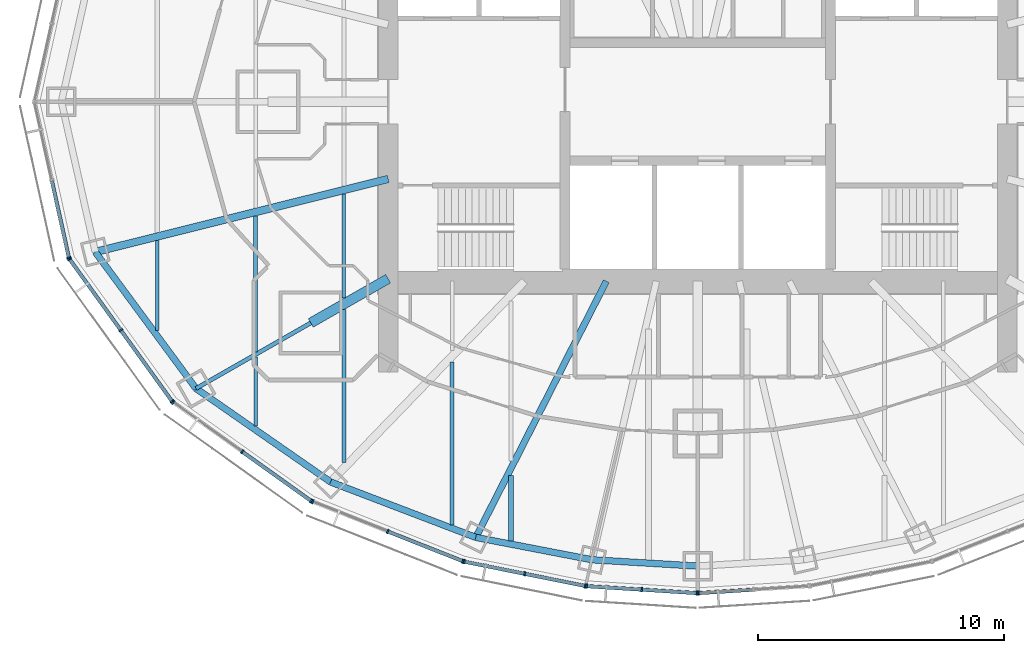
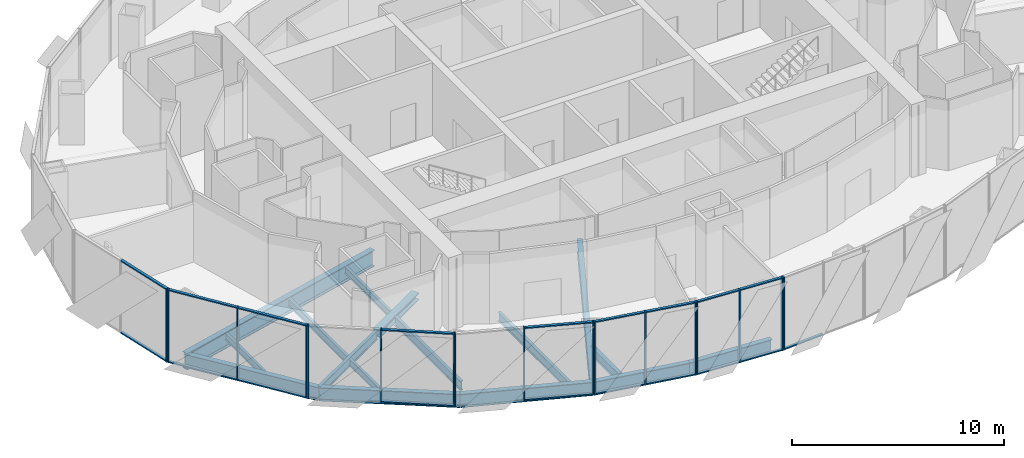
# One storey, part 2 of 18: 36 members, 16 beams, 7 elements without a shape of their own.
"""IFC4 building model written with IfcOpenShell, lengths in metres."""

from ifc_helpers import new_model, si_unit, direction, frame, origin, origin_2d, place, context, subcontext, project, spatial, rectangle, i_section, extrude, material, material_profile, profile_set, type_object, element, aggregate, save


model = new_model("IFC4")

# Units and contexts
model_context = context("Model", 3, precision=1e-05, world=origin(), true_north=direction((0.0, 1.0)))
body_context = subcontext(model_context, "Body", "Model", "MODEL_VIEW")
ifc_project = project(units=[si_unit("LENGTHUNIT", "METRE"), si_unit("AREAUNIT", "SQUARE_METRE"), si_unit("VOLUMEUNIT", "CUBIC_METRE"), si_unit("PLANEANGLEUNIT", "RADIAN"), si_unit("MASSUNIT", "GRAM", prefix="KILO")], contexts=[model_context])

# Site, building, storey
site_placement = place(None, origin())
site = spatial("IfcSite", under=ifc_project, at=site_placement, CompositionType="ELEMENT")
building_placement = place(site_placement, origin())
building = spatial("IfcBuilding", under=site, at=building_placement, Name="Lantaw Convention Tower", CompositionType="ELEMENT")
storey_placement = place(building_placement, frame((0.0, 0.0, 262.0)))
storey = spatial("IfcBuildingStorey", under=building, at=storey_placement, Name="L61", CompositionType="ELEMENT", Elevation=262.0)

# Beams
ifc_material_1 = material(Name="Steel ASTM A992", Category="steel")
ifc_material_profile_1 = material_profile(ifc_material_1, i_section(OverallWidth=0.2666015625, OverallDepth=0.76953125, WebThickness=0.015625, FlangeThickness=0.025390625, FilletRadius=0.0126953125, at=origin_2d()), Name="W30X132")
ifc_profile_set_1 = profile_set([ifc_material_profile_1], Name="Steel ASTM A992")
beam_type_1 = type_object("IfcBeamType", Name="Beam E W30X132", PredefinedType="SPANDREL", material=ifc_profile_set_1)
beam_1_placement = place(storey_placement, frame((-24.52197265625, -6.114013671875, -0.534912109375), z_axis=(0.593639188853, -0.804731329984, 0.0), x_axis=(0.804731329984, 0.593639188853, 0.0)))
element("IfcBeam", 1, at=beam_1_placement, inside=storey, type_object=beam_type_1, Name="Edge beam 14", PredefinedType="SPANDREL", context=body_context, shape_type="SweptSolid", body=[
    extrude(i_section(OverallWidth=0.2666015625, OverallDepth=0.76953125, WebThickness=0.015625, FlangeThickness=0.025390625, FilletRadius=0.0126953125, at=origin_2d()), origin(), (0.0, 0.0, 1.0), 6.904541015625),
])
beam_2_placement = place(storey_placement, frame((-20.423095703125, -11.67041015625, -0.534912109375), z_axis=(0.82135329406, -0.570419815869, 0.0), x_axis=(0.570419815869, 0.82135329406, 0.0)))
element("IfcBeam", 2, at=beam_2_placement, inside=storey, type_object=beam_type_1, Name="Edge beam 15", PredefinedType="SPANDREL", context=body_context, shape_type="SweptSolid", body=[
    extrude(i_section(OverallWidth=0.2666015625, OverallDepth=0.76953125, WebThickness=0.015625, FlangeThickness=0.025390625, FilletRadius=0.0126953125, at=origin_2d()), origin(), (0.0, 0.0, 1.0), 6.67041015625),
])
beam_3_placement = place(storey_placement, frame((-14.9443359375, -15.475341796875, -0.534912109375), z_axis=(0.934234988, -0.356658081637, 0.0), x_axis=(0.356658081637, 0.934234988, 0.0)))
element("IfcBeam", 3, at=beam_3_placement, inside=storey, type_object=beam_type_1, Name="Edge beam 16", PredefinedType="SPANDREL", context=body_context, shape_type="SweptSolid", body=[
    extrude(i_section(OverallWidth=0.2666015625, OverallDepth=0.76953125, WebThickness=0.015625, FlangeThickness=0.025390625, FilletRadius=0.0126953125, at=origin_2d()), origin(), (0.0, 0.0, 1.0), 6.32568359375),
])
beam_4_placement = place(storey_placement, frame((-9.03466796875, -17.7314453125, -0.534912109375), z_axis=(0.981972091702, -0.189025953556, 0.0), x_axis=(0.189025953556, 0.981972091702, 0.0)))
element("IfcBeam", 4, at=beam_4_placement, inside=storey, type_object=beam_type_1, Name="Edge beam 17", PredefinedType="SPANDREL", context=body_context, shape_type="SweptSolid", body=[
    extrude(i_section(OverallWidth=0.2666015625, OverallDepth=0.76953125, WebThickness=0.015625, FlangeThickness=0.025390625, FilletRadius=0.0126953125, at=origin_2d()), origin(), (0.0, 0.0, 1.0), 4.817626953125),
])
beam_5_placement = place(storey_placement, frame((-4.303955078125, -18.64208984375, -0.534912109375), z_axis=(0.998210730897, -0.059794119452, 0.0), x_axis=(0.059794119452, 0.998210730897, 0.0)))
element("IfcBeam", 5, at=beam_5_placement, inside=storey, type_object=beam_type_1, Name="Edge beam 18", PredefinedType="SPANDREL", context=body_context, shape_type="SweptSolid", body=[
    extrude(i_section(OverallWidth=0.2666015625, OverallDepth=0.76953125, WebThickness=0.015625, FlangeThickness=0.025390625, FilletRadius=0.0126953125, at=origin_2d()), origin(), (0.0, 0.0, 1.0), 4.311767578125),
])
ifc_material_profile_2 = material_profile(ifc_material_1, i_section(OverallWidth=0.1650390625, OverallDepth=0.52587890625, WebThickness=0.0087890625, FlangeThickness=0.011474609375, FilletRadius=0.0126953125, at=origin_2d()), Name="W21X44")
ifc_profile_set_2 = profile_set([ifc_material_profile_2], Name="Steel ASTM A992")
beam_type_2 = type_object("IfcBeamType", Name="Beam G W21X44", PredefinedType="BEAM", material=ifc_profile_set_2)
beam_6_placement = place(storey_placement, frame((-15.75, -9.0, -0.412841796875), z_axis=(-0.868237559289, -0.496148708192, 0.0), x_axis=(0.496148708192, -0.868237559289, 0.0)))
element("IfcBeam", 6, at=beam_6_placement, inside=storey, type_object=beam_type_2, Name="Floor girder on ray 15", PredefinedType="BEAM", context=body_context, shape_type="SweptSolid", body=[
    extrude(i_section(OverallWidth=0.1650390625, OverallDepth=0.52587890625, WebThickness=0.0087890625, FlangeThickness=0.011474609375, FilletRadius=0.0126953125, at=origin_2d()), origin(), (0.0, 0.0, 1.0), 5.38232421875),
])
ifc_material_profile_3 = material_profile(ifc_material_1, i_section(OverallWidth=0.2666015625, OverallDepth=0.7568359375, WebThickness=0.013916015625, FlangeThickness=0.019287109375, FilletRadius=0.0126953125, at=origin_2d()), Name="W30X108")
ifc_profile_set_3 = profile_set([ifc_material_profile_3], Name="Steel ASTM A992")
beam_type_3 = type_object("IfcBeamType", Name="Beam G W30X108", PredefinedType="BEAM", material=ifc_profile_set_3)
beam_7_placement = place(storey_placement, frame((-3.719482421875, -7.300048828125, -0.528564453125), z_axis=(-0.4539988787, -0.891002254845, 0.0), x_axis=(0.891002254845, -0.4539988787, 0.0)))
element("IfcBeam", 7, at=beam_7_placement, inside=storey, type_object=beam_type_3, Name="Floor girder on ray 17", PredefinedType="BEAM", context=body_context, shape_type="SweptSolid", body=[
    extrude(i_section(OverallWidth=0.2666015625, OverallDepth=0.7568359375, WebThickness=0.013916015625, FlangeThickness=0.019287109375, FilletRadius=0.0126953125, at=origin_2d()), origin(), (0.0, 0.0, 1.0), 11.70751953125),
])
ifc_material_profile_4 = material_profile(ifc_material_1, i_section(OverallWidth=0.307373046875, OverallDepth=0.9423828125, WebThickness=0.022216796875, FlangeThickness=0.039794921875, FilletRadius=0.0126953125, at=origin_2d()), Name="W36X232")
ifc_profile_set_4 = profile_set([ifc_material_profile_4], Name="Steel ASTM A992")
beam_type_4 = type_object("IfcBeamType", Name="Beam G W36X232", PredefinedType="BEAM", material=ifc_profile_set_4)
beam_8_placement = place(storey_placement, frame((-12.60009765625, -3.1416015625, -0.62109375), z_axis=(-0.970296589314, -0.241918434119, 0.0), x_axis=(0.241918434119, -0.970296589314, 0.0)))
element("IfcBeam", 8, at=beam_8_placement, inside=storey, type_object=beam_type_4, Name="Floor girder on ray 14", PredefinedType="BEAM", context=body_context, shape_type="SweptSolid", body=[
    extrude(i_section(OverallWidth=0.307373046875, OverallDepth=0.9423828125, WebThickness=0.022216796875, FlangeThickness=0.039794921875, FilletRadius=0.0126953125, at=origin_2d()), origin(), (0.0, 0.0, 1.0), 12.286865234375),
])
ifc_material_profile_5 = material_profile(ifc_material_1, i_section(OverallWidth=0.40380859375, OverallDepth=0.406494140625, WebThickness=0.027099609375, FlangeThickness=0.043701171875, FilletRadius=0.01513671875, at=origin_2d()), Name="W14X233")
ifc_profile_set_5 = profile_set([ifc_material_profile_5], Name="Steel ASTM A992")
beam_type_5 = type_object("IfcBeamType", Name="Beam GM W14X233", PredefinedType="BEAM", material=ifc_profile_set_5)
beam_9_placement = place(storey_placement, frame((-12.60009765625, -7.199951171875, -0.353271484375), z_axis=(-0.868230718294, -0.496160679428, 0.0), x_axis=(0.496160679428, -0.868230718294, 0.0)))
element("IfcBeam", 9, at=beam_9_placement, inside=storey, type_object=beam_type_5, Name="Core link beam on ray 15", PredefinedType="BEAM", context=body_context, shape_type="SweptSolid", body=[
    extrude(i_section(OverallWidth=0.40380859375, OverallDepth=0.406494140625, WebThickness=0.027099609375, FlangeThickness=0.043701171875, FilletRadius=0.01513671875, at=origin_2d()), origin(), (0.0, 0.0, 1.0), 3.6279296875),
])
ifc_material_profile_6 = material_profile(ifc_material_1, i_section(OverallWidth=0.140380859375, OverallDepth=0.40380859375, WebThickness=0.007080078125, FlangeThickness=0.01123046875, FilletRadius=0.01025390625, at=origin_2d()), Name="W16X31")
ifc_profile_set_6 = profile_set([ifc_material_profile_6], Name="Steel ASTM A992")
beam_type_6 = type_object("IfcBeamType", Name="Beam J W16X31", PredefinedType="JOIST", material=ifc_profile_set_6)
beam_10_placement = place(storey_placement, frame((-22.0, -9.30810546875, -0.35205078125), z_axis=(0.0, 1.0, 0.0), x_axis=(-1.0, 0.0, 0.0)))
element("IfcBeam", 10, at=beam_10_placement, inside=storey, type_object=beam_type_6, Name="Floor joist", PredefinedType="JOIST", context=body_context, shape_type="SweptSolid", body=[
    extrude(i_section(OverallWidth=0.140380859375, OverallDepth=0.40380859375, WebThickness=0.007080078125, FlangeThickness=0.01123046875, FilletRadius=0.01025390625, at=origin_2d()), origin(), (0.0, 0.0, 1.0), 3.66455078125),
])
beam_11_placement = place(storey_placement, frame((-18.0, -13.19091796875, -0.35205078125), z_axis=(0.0, 1.0, 0.0), x_axis=(-1.0, 0.0, 0.0)))
element("IfcBeam", 11, at=beam_11_placement, inside=storey, type_object=beam_type_6, Name="Floor joist", PredefinedType="JOIST", context=body_context, shape_type="SweptSolid", body=[
    extrude(i_section(OverallWidth=0.140380859375, OverallDepth=0.40380859375, WebThickness=0.007080078125, FlangeThickness=0.01123046875, FilletRadius=0.01025390625, at=origin_2d()), origin(), (0.0, 0.0, 1.0), 2.81005859375),
])
beam_12_placement = place(storey_placement, frame((-14.39990234375, -7.99609375, -0.35205078125), z_axis=(0.0, 1.0, 0.0), x_axis=(-1.0, 0.0, 0.0)))
element("IfcBeam", 12, at=beam_12_placement, inside=storey, type_object=beam_type_6, Name="Floor joist", PredefinedType="JOIST", context=body_context, shape_type="SweptSolid", body=[
    extrude(i_section(OverallWidth=0.140380859375, OverallDepth=0.40380859375, WebThickness=0.007080078125, FlangeThickness=0.01123046875, FilletRadius=0.01025390625, at=origin_2d()), origin(), (0.0, 0.0, 1.0), 4.247314453125),
])
ifc_material_profile_7 = material_profile(ifc_material_1, i_section(OverallWidth=0.15234375, OverallDepth=0.449462890625, WebThickness=0.007568359375, FlangeThickness=0.0107421875, FilletRadius=0.01025390625, at=origin_2d()), Name="W18X35")
ifc_profile_set_7 = profile_set([ifc_material_profile_7], Name="Steel ASTM A992")
beam_type_7 = type_object("IfcBeamType", Name="Beam J W18X35", PredefinedType="JOIST", material=ifc_profile_set_7)
beam_13_placement = place(storey_placement, frame((-18.0, -10.190673828125, -0.374755859375), z_axis=(0.0, 1.0, 0.0), x_axis=(-1.0, 0.0, 0.0)))
element("IfcBeam", 13, at=beam_13_placement, inside=storey, type_object=beam_type_7, Name="Floor joist", PredefinedType="JOIST", context=body_context, shape_type="SweptSolid", body=[
    extrude(i_section(OverallWidth=0.15234375, OverallDepth=0.449462890625, WebThickness=0.007568359375, FlangeThickness=0.0107421875, FilletRadius=0.01025390625, at=origin_2d()), origin(), (0.0, 0.0, 1.0), 5.54443359375),
])
ifc_material_profile_8 = material_profile(ifc_material_1, i_section(OverallWidth=0.1650390625, OverallDepth=0.52587890625, WebThickness=0.0087890625, FlangeThickness=0.011474609375, FilletRadius=0.0126953125, at=origin_2d()), Name="W21X44")
ifc_profile_set_8 = profile_set([ifc_material_profile_8], Name="Steel ASTM A992")
beam_type_8 = type_object("IfcBeamType", Name="Beam J W21X44", PredefinedType="JOIST", material=ifc_profile_set_8)
beam_14_placement = place(storey_placement, frame((-14.39990234375, -14.67578125, -0.412841796875), z_axis=(0.0, 1.0, 0.0), x_axis=(-1.0, 0.0, 0.0)))
element("IfcBeam", 14, at=beam_14_placement, inside=storey, type_object=beam_type_8, Name="Floor joist", PredefinedType="JOIST", context=body_context, shape_type="SweptSolid", body=[
    extrude(i_section(OverallWidth=0.1650390625, OverallDepth=0.52587890625, WebThickness=0.0087890625, FlangeThickness=0.011474609375, FilletRadius=0.0126953125, at=origin_2d()), origin(), (0.0, 0.0, 1.0), 6.214599609375),
])
beam_15_placement = place(storey_placement, frame((-10.0, -17.22021484375, -0.412841796875), z_axis=(0.0, 1.0, 0.0), x_axis=(-1.0, 0.0, 0.0)))
element("IfcBeam", 15, at=beam_15_placement, inside=storey, type_object=beam_type_8, Name="Floor joist", PredefinedType="JOIST", context=body_context, shape_type="SweptSolid", body=[
    extrude(i_section(OverallWidth=0.1650390625, OverallDepth=0.52587890625, WebThickness=0.0087890625, FlangeThickness=0.011474609375, FilletRadius=0.0126953125, at=origin_2d()), origin(), (0.0, 0.0, 1.0), 6.629150390625),
])
ifc_material_profile_9 = material_profile(ifc_material_1, i_section(OverallWidth=0.2099609375, OverallDepth=0.535888671875, WebThickness=0.010986328125, FlangeThickness=0.017333984375, FilletRadius=0.012939453125, at=origin_2d()), Name="W21X68")
ifc_profile_set_9 = profile_set([ifc_material_profile_9], Name="Steel ASTM A992")
beam_type_9 = type_object("IfcBeamType", Name="Beam J W21X68", PredefinedType="JOIST", material=ifc_profile_set_9)
beam_16_placement = place(storey_placement, frame((-7.60009765625, -17.871826171875, -0.41796875), z_axis=(0.0, 1.0, 0.0), x_axis=(-1.0, 0.0, 0.0)))
element("IfcBeam", 16, at=beam_16_placement, inside=storey, type_object=beam_type_9, Name="Floor joist", PredefinedType="JOIST", context=body_context, shape_type="SweptSolid", body=[
    extrude(i_section(OverallWidth=0.2099609375, OverallDepth=0.535888671875, WebThickness=0.010986328125, FlangeThickness=0.017333984375, FilletRadius=0.012939453125, at=origin_2d()), origin(), (0.0, 0.0, 1.0), 2.662353515625),
])

# Curtain wall, member
ifc_material_2 = material(Name="Aluminium framed curtain wall", Category="aluminium")
curtain_wall_type = type_object("IfcCurtainWallType", Name="Office curtain wall high rise, pale aluminium", PredefinedType="USERDEFINED", material=ifc_material_2)
curtain_wall_1_placement = place(storey_placement, origin())
curtain_wall_1 = element("IfcCurtainWall", 17, at=curtain_wall_1_placement, inside=storey, type_object=curtain_wall_type, Name="Office curtain wall high rise, pale aluminium L61", ObjectType="UNITISED CURTAIN WALL", PredefinedType="USERDEFINED")
ifc_material_3 = material(Name="Aluminium 6063-T6", Category="aluminium")
ifc_material_profile_10 = material_profile(ifc_material_3, rectangle(XDim=0.179931640625, YDim=0.06494140625, at=origin_2d()), Name="CW-O2 mullion 65x180")
ifc_profile_set_10 = profile_set([ifc_material_profile_10], Name="Aluminium 6063-T6")
member_type_1 = type_object("IfcMemberType", Name="CW-O2 mullion 65x180", PredefinedType="MULLION", material=ifc_profile_set_10)
member_1_placement = place(storey_placement, frame((-25.596435546875, -6.348388671875, -0.14990234375), z_axis=(0.0, 0.0, 1.0), x_axis=(0.976417396437, 0.215891333626, 0.0)))
member_1 = element("IfcMember", 18, at=member_1_placement, type_object=member_type_1, Name="CW-O2 mullion 3", PredefinedType="MULLION", context=body_context, shape_type="SweptSolid", body=[
    extrude(rectangle(XDim=0.179931640625, YDim=0.06494140625, at=origin_2d()), origin(), (0.0, 0.0, 1.0), 4.199951171875),
])

# Curtain wall, members
curtain_wall_2_placement = place(storey_placement, origin())
curtain_wall_2 = element("IfcCurtainWall", 19, at=curtain_wall_2_placement, inside=storey, type_object=curtain_wall_type, Name="Office curtain wall high rise, pale aluminium L61", ObjectType="UNITISED CURTAIN WALL", PredefinedType="USERDEFINED")
member_2_placement = place(storey_placement, frame((-25.5703125, -6.406494140625, -0.14990234375), z_axis=(0.0, 0.0, 1.0), x_axis=(0.810919559405, 0.585157643865, 0.0)))
member_2 = element("IfcMember", 20, at=member_2_placement, type_object=member_type_1, Name="CW-O2 mullion 1", PredefinedType="MULLION", context=body_context, shape_type="SweptSolid", body=[
    extrude(rectangle(XDim=0.179931640625, YDim=0.06494140625, at=origin_2d()), origin(), (0.0, 0.0, 1.0), 4.199951171875),
])
member_3_placement = place(storey_placement, frame((-23.483642578125, -9.298095703125, -0.14990234375), z_axis=(0.0, 0.0, 1.0), x_axis=(0.810919559405, 0.585157643865, 0.0)))
member_3 = element("IfcMember", 21, at=member_3_placement, type_object=member_type_1, Name="CW-O2 mullion 2", PredefinedType="MULLION", context=body_context, shape_type="SweptSolid", body=[
    extrude(rectangle(XDim=0.179931640625, YDim=0.06494140625, at=origin_2d()), origin(), (0.0, 0.0, 1.0), 4.199951171875),
])
member_4_placement = place(storey_placement, frame((-21.397216796875, -12.189697265625, -0.14990234375), z_axis=(0.0, 0.0, 1.0), x_axis=(0.810919559405, 0.585157643865, 0.0)))
member_4 = element("IfcMember", 22, at=member_4_placement, type_object=member_type_1, Name="CW-O2 mullion 3", PredefinedType="MULLION", context=body_context, shape_type="SweptSolid", body=[
    extrude(rectangle(XDim=0.179931640625, YDim=0.06494140625, at=origin_2d()), origin(), (0.0, 0.0, 1.0), 4.199951171875),
])

curtain_wall_3_placement = place(storey_placement, origin())
curtain_wall_3 = element("IfcCurtainWall", 23, at=curtain_wall_3_placement, inside=storey, type_object=curtain_wall_type, Name="Office curtain wall high rise, pale aluminium L61", ObjectType="UNITISED CURTAIN WALL", PredefinedType="USERDEFINED")
member_5_placement = place(storey_placement, frame((-21.3515625, -12.23486328125, -0.14990234375), z_axis=(0.0, 0.0, 1.0), x_axis=(0.581323487281, 0.813672540482, 0.0)))
member_5 = element("IfcMember", 24, at=member_5_placement, type_object=member_type_1, Name="CW-O2 mullion 1", PredefinedType="MULLION", context=body_context, shape_type="SweptSolid", body=[
    extrude(rectangle(XDim=0.179931640625, YDim=0.06494140625, at=origin_2d()), origin(), (0.0, 0.0, 1.0), 4.199951171875),
])
member_6_placement = place(storey_placement, frame((-18.543212890625, -14.241455078125, -0.14990234375), z_axis=(0.0, 0.0, 1.0), x_axis=(0.581323487281, 0.813672540482, 0.0)))
member_6 = element("IfcMember", 25, at=member_6_placement, type_object=member_type_1, Name="CW-O2 mullion 2", PredefinedType="MULLION", context=body_context, shape_type="SweptSolid", body=[
    extrude(rectangle(XDim=0.179931640625, YDim=0.06494140625, at=origin_2d()), origin(), (0.0, 0.0, 1.0), 4.199951171875),
])
member_7_placement = place(storey_placement, frame((-15.73486328125, -16.247802734375, -0.14990234375), z_axis=(0.0, 0.0, 1.0), x_axis=(0.581323487281, 0.813672540482, 0.0)))
member_7 = element("IfcMember", 26, at=member_7_placement, type_object=member_type_1, Name="CW-O2 mullion 3", PredefinedType="MULLION", context=body_context, shape_type="SweptSolid", body=[
    extrude(rectangle(XDim=0.179931640625, YDim=0.06494140625, at=origin_2d()), origin(), (0.0, 0.0, 1.0), 4.199951171875),
])

curtain_wall_4_placement = place(storey_placement, origin())
curtain_wall_4 = element("IfcCurtainWall", 27, at=curtain_wall_4_placement, inside=storey, type_object=curtain_wall_type, Name="Office curtain wall high rise, pale aluminium L61", ObjectType="UNITISED CURTAIN WALL", PredefinedType="USERDEFINED")
member_8_placement = place(storey_placement, frame((-15.67822265625, -16.278564453125, -0.14990234375), z_axis=(0.0, 0.0, 1.0), x_axis=(0.368162315252, 0.929761533743, 0.0)))
member_8 = element("IfcMember", 28, at=member_8_placement, type_object=member_type_1, Name="CW-O2 mullion 1", PredefinedType="MULLION", context=body_context, shape_type="SweptSolid", body=[
    extrude(rectangle(XDim=0.179931640625, YDim=0.06494140625, at=origin_2d()), origin(), (0.0, 0.0, 1.0), 4.199951171875),
])
member_9_placement = place(storey_placement, frame((-12.621337890625, -17.4892578125, -0.14990234375), z_axis=(0.0, 0.0, 1.0), x_axis=(0.368162315252, 0.929761533743, 0.0)))
member_9 = element("IfcMember", 29, at=member_9_placement, type_object=member_type_1, Name="CW-O2 mullion 2", PredefinedType="MULLION", context=body_context, shape_type="SweptSolid", body=[
    extrude(rectangle(XDim=0.179931640625, YDim=0.06494140625, at=origin_2d()), origin(), (0.0, 0.0, 1.0), 4.199951171875),
])
member_10_placement = place(storey_placement, frame((-9.564208984375, -18.69970703125, -0.14990234375), z_axis=(0.0, 0.0, 1.0), x_axis=(0.368162315252, 0.929761533743, 0.0)))
member_10 = element("IfcMember", 30, at=member_10_placement, type_object=member_type_1, Name="CW-O2 mullion 3", PredefinedType="MULLION", context=body_context, shape_type="SweptSolid", body=[
    extrude(rectangle(XDim=0.179931640625, YDim=0.06494140625, at=origin_2d()), origin(), (0.0, 0.0, 1.0), 4.199951171875),
])

curtain_wall_5_placement = place(storey_placement, origin())
curtain_wall_5 = element("IfcCurtainWall", 31, at=curtain_wall_5_placement, inside=storey, type_object=curtain_wall_type, Name="Office curtain wall high rise, pale aluminium L61", ObjectType="UNITISED CURTAIN WALL", PredefinedType="USERDEFINED")
member_11_placement = place(storey_placement, frame((-9.502197265625, -18.718017578125, -0.14990234375), z_axis=(0.0, 0.0, 1.0), x_axis=(0.197183095987, 0.980366679695, 0.0)))
member_11 = element("IfcMember", 32, at=member_11_placement, type_object=member_type_1, Name="CW-O2 mullion 1", PredefinedType="MULLION", context=body_context, shape_type="SweptSolid", body=[
    extrude(rectangle(XDim=0.179931640625, YDim=0.06494140625, at=origin_2d()), origin(), (0.0, 0.0, 1.0), 4.199951171875),
])
member_12_placement = place(storey_placement, frame((-7.042724609375, -19.212646484375, -0.14990234375), z_axis=(0.0, 0.0, 1.0), x_axis=(0.197183095987, 0.980366679695, 0.0)))
member_12 = element("IfcMember", 33, at=member_12_placement, type_object=member_type_1, Name="CW-O2 mullion 2", PredefinedType="MULLION", context=body_context, shape_type="SweptSolid", body=[
    extrude(rectangle(XDim=0.179931640625, YDim=0.06494140625, at=origin_2d()), origin(), (0.0, 0.0, 1.0), 4.199951171875),
])
member_13_placement = place(storey_placement, frame((-4.583251953125, -19.70751953125, -0.14990234375), z_axis=(0.0, 0.0, 1.0), x_axis=(0.197183095987, 0.980366679695, 0.0)))
member_13 = element("IfcMember", 34, at=member_13_placement, type_object=member_type_1, Name="CW-O2 mullion 3", PredefinedType="MULLION", context=body_context, shape_type="SweptSolid", body=[
    extrude(rectangle(XDim=0.179931640625, YDim=0.06494140625, at=origin_2d()), origin(), (0.0, 0.0, 1.0), 4.199951171875),
])

curtain_wall_6_placement = place(storey_placement, origin())
curtain_wall_6 = element("IfcCurtainWall", 35, at=curtain_wall_6_placement, inside=storey, type_object=curtain_wall_type, Name="Office curtain wall high rise, pale aluminium L61", ObjectType="UNITISED CURTAIN WALL", PredefinedType="USERDEFINED")
member_14_placement = place(storey_placement, frame((-4.518798828125, -19.7158203125, -0.14990234375), z_axis=(0.0, 0.0, 1.0), x_axis=(0.062757983884, 0.998028774865, 0.0)))
member_14 = element("IfcMember", 36, at=member_14_placement, type_object=member_type_1, Name="CW-O2 mullion 1", PredefinedType="MULLION", context=body_context, shape_type="SweptSolid", body=[
    extrude(rectangle(XDim=0.179931640625, YDim=0.06494140625, at=origin_2d()), origin(), (0.0, 0.0, 1.0), 4.199951171875),
])
member_15_placement = place(storey_placement, frame((-2.275634765625, -19.85693359375, -0.14990234375), z_axis=(0.0, 0.0, 1.0), x_axis=(0.062757983884, 0.998028774865, 0.0)))
member_15 = element("IfcMember", 37, at=member_15_placement, type_object=member_type_1, Name="CW-O2 mullion 2", PredefinedType="MULLION", context=body_context, shape_type="SweptSolid", body=[
    extrude(rectangle(XDim=0.179931640625, YDim=0.06494140625, at=origin_2d()), origin(), (0.0, 0.0, 1.0), 4.199951171875),
])
member_16_placement = place(storey_placement, frame((-0.032470703125, -19.998046875, -0.14990234375), z_axis=(0.0, 0.0, 1.0), x_axis=(0.062757983884, 0.998028774865, 0.0)))
member_16 = element("IfcMember", 38, at=member_16_placement, type_object=member_type_1, Name="CW-O2 mullion 3", PredefinedType="MULLION", context=body_context, shape_type="SweptSolid", body=[
    extrude(rectangle(XDim=0.179931640625, YDim=0.06494140625, at=origin_2d()), origin(), (0.0, 0.0, 1.0), 4.199951171875),
])

# Curtain wall, member
curtain_wall_7_placement = place(storey_placement, origin())
curtain_wall_7 = element("IfcCurtainWall", 39, at=curtain_wall_7_placement, inside=storey, type_object=curtain_wall_type, Name="Office curtain wall high rise, pale aluminium L61", ObjectType="UNITISED CURTAIN WALL", PredefinedType="USERDEFINED")
member_17_placement = place(storey_placement, frame((0.032470703125, -19.998046875, -0.14990234375), z_axis=(0.0, 0.0, 1.0), x_axis=(-0.062757983884, 0.998028774865, 0.0)))
member_17 = element("IfcMember", 40, at=member_17_placement, type_object=member_type_1, Name="CW-O2 mullion 1", PredefinedType="MULLION", context=body_context, shape_type="SweptSolid", body=[
    extrude(rectangle(XDim=0.179931640625, YDim=0.06494140625, at=origin_2d()), origin(), (0.0, 0.0, 1.0), 4.199951171875),
])

# Member
ifc_material_profile_11 = material_profile(ifc_material_3, rectangle(XDim=0.14990234375, YDim=0.06494140625, at=origin_2d()), Name="CW-O2 transom 65x150")
ifc_profile_set_11 = profile_set([ifc_material_profile_11], Name="Aluminium 6063-T6")
member_type_2 = type_object("IfcMemberType", Name="CW-O2 transom 65x150", PredefinedType="USERDEFINED", material=ifc_profile_set_11)
member_18_placement = place(storey_placement, frame((-26.28759765625, -3.2216796875, -0.117431640625), z_axis=(0.215894607042, -0.976416672661, 0.0), x_axis=(0.976416672661, 0.215894607042, 0.0)))
member_18 = element("IfcMember", 41, at=member_18_placement, type_object=member_type_2, Name="CW-O2 transom 2.1", ObjectType="TRANSOM", PredefinedType="USERDEFINED", context=body_context, shape_type="SweptSolid", body=[
    extrude(rectangle(XDim=0.14990234375, YDim=0.06494140625, at=origin_2d()), origin(), (0.0, 0.0, 1.0), 3.169677734375),
])

member_19_placement = place(storey_placement, frame((-26.28759765625, -3.2216796875, 4.017578125), z_axis=(0.215894607042, -0.976416672661, 0.0), x_axis=(0.976416672661, 0.215894607042, 0.0)))
member_19 = element("IfcMember", 42, at=member_19_placement, type_object=member_type_2, Name="CW-O2 transom 2.2", ObjectType="TRANSOM", PredefinedType="USERDEFINED", context=body_context, shape_type="SweptSolid", body=[
    extrude(rectangle(XDim=0.14990234375, YDim=0.06494140625, at=origin_2d()), origin(), (0.0, 0.0, 1.0), 3.169677734375),
])

aggregate(curtain_wall_1, [member_1, member_18, member_19])

member_20_placement = place(storey_placement, frame((-25.55126953125, -6.432861328125, -0.117431640625), z_axis=(0.585169685931, -0.810910869743, 0.0), x_axis=(0.810910869743, 0.585169685931, 0.0)))
member_20 = element("IfcMember", 43, at=member_20_placement, type_object=member_type_2, Name="CW-O2 transom 1.1", ObjectType="TRANSOM", PredefinedType="USERDEFINED", context=body_context, shape_type="SweptSolid", body=[
    extrude(rectangle(XDim=0.14990234375, YDim=0.06494140625, at=origin_2d()), origin(), (0.0, 0.0, 1.0), 3.500732421875),
])

member_21_placement = place(storey_placement, frame((-25.55126953125, -6.432861328125, 4.017578125), z_axis=(0.585169685931, -0.810910869743, 0.0), x_axis=(0.810910869743, 0.585169685931, 0.0)))
member_21 = element("IfcMember", 44, at=member_21_placement, type_object=member_type_2, Name="CW-O2 transom 1.2", ObjectType="TRANSOM", PredefinedType="USERDEFINED", context=body_context, shape_type="SweptSolid", body=[
    extrude(rectangle(XDim=0.14990234375, YDim=0.06494140625, at=origin_2d()), origin(), (0.0, 0.0, 1.0), 3.500732421875),
])

member_22_placement = place(storey_placement, frame((-23.464599609375, -9.324462890625, -0.117431640625), z_axis=(0.585123825205, -0.810943961798, 0.0), x_axis=(0.810943961798, 0.585123825205, 0.0)))
member_22 = element("IfcMember", 45, at=member_22_placement, type_object=member_type_2, Name="CW-O2 transom 2.1", ObjectType="TRANSOM", PredefinedType="USERDEFINED", context=body_context, shape_type="SweptSolid", body=[
    extrude(rectangle(XDim=0.14990234375, YDim=0.06494140625, at=origin_2d()), origin(), (0.0, 0.0, 1.0), 3.500732421875),
])

member_23_placement = place(storey_placement, frame((-23.464599609375, -9.324462890625, 4.017578125), z_axis=(0.585123825205, -0.810943961798, 0.0), x_axis=(0.810943961798, 0.585123825205, 0.0)))
member_23 = element("IfcMember", 46, at=member_23_placement, type_object=member_type_2, Name="CW-O2 transom 2.2", ObjectType="TRANSOM", PredefinedType="USERDEFINED", context=body_context, shape_type="SweptSolid", body=[
    extrude(rectangle(XDim=0.14990234375, YDim=0.06494140625, at=origin_2d()), origin(), (0.0, 0.0, 1.0), 3.500732421875),
])

aggregate(curtain_wall_2, [member_2, member_3, member_4, member_20, member_21, member_22, member_23])

member_24_placement = place(storey_placement, frame((-18.516845703125, -14.26025390625, -0.117431640625), z_axis=(0.813645780821, -0.581360940683, 0.0), x_axis=(0.581360940683, 0.813645780821, 0.0)))
member_24 = element("IfcMember", 47, at=member_24_placement, type_object=member_type_2, Name="CW-O2 transom 2.1", ObjectType="TRANSOM", PredefinedType="USERDEFINED", context=body_context, shape_type="SweptSolid", body=[
    extrude(rectangle(XDim=0.14990234375, YDim=0.06494140625, at=origin_2d()), origin(), (0.0, 0.0, 1.0), 3.386474609375),
])

member_25_placement = place(storey_placement, frame((-18.516845703125, -14.26025390625, 4.017578125), z_axis=(0.813645780821, -0.581360940683, 0.0), x_axis=(0.581360940683, 0.813645780821, 0.0)))
member_25 = element("IfcMember", 48, at=member_25_placement, type_object=member_type_2, Name="CW-O2 transom 2.2", ObjectType="TRANSOM", PredefinedType="USERDEFINED", context=body_context, shape_type="SweptSolid", body=[
    extrude(rectangle(XDim=0.14990234375, YDim=0.06494140625, at=origin_2d()), origin(), (0.0, 0.0, 1.0), 3.386474609375),
])

aggregate(curtain_wall_3, [member_5, member_6, member_7, member_24, member_25])

member_26_placement = place(storey_placement, frame((-12.591064453125, -17.501220703125, -0.117431640625), z_axis=(0.929766642946, -0.368149412149, 0.0), x_axis=(0.368149412149, 0.929766642946, 0.0)))
member_26 = element("IfcMember", 49, at=member_26_placement, type_object=member_type_2, Name="CW-O2 transom 2.1", ObjectType="TRANSOM", PredefinedType="USERDEFINED", context=body_context, shape_type="SweptSolid", body=[
    extrude(rectangle(XDim=0.14990234375, YDim=0.06494140625, at=origin_2d()), origin(), (0.0, 0.0, 1.0), 3.222900390625),
])

member_27_placement = place(storey_placement, frame((-12.591064453125, -17.501220703125, 4.017578125), z_axis=(0.929766642946, -0.368149412149, 0.0), x_axis=(0.368149412149, 0.929766642946, 0.0)))
member_27 = element("IfcMember", 50, at=member_27_placement, type_object=member_type_2, Name="CW-O2 transom 2.2", ObjectType="TRANSOM", PredefinedType="USERDEFINED", context=body_context, shape_type="SweptSolid", body=[
    extrude(rectangle(XDim=0.14990234375, YDim=0.06494140625, at=origin_2d()), origin(), (0.0, 0.0, 1.0), 3.222900390625),
])

aggregate(curtain_wall_4, [member_8, member_9, member_10, member_26, member_27])

member_28_placement = place(storey_placement, frame((-9.47021484375, -18.724365234375, -0.117431640625), z_axis=(0.98036104319, -0.197211117829, 0.0), x_axis=(0.197211117829, 0.98036104319, 0.0)))
member_28 = element("IfcMember", 51, at=member_28_placement, type_object=member_type_2, Name="CW-O2 transom 1.1", ObjectType="TRANSOM", PredefinedType="USERDEFINED", context=body_context, shape_type="SweptSolid", body=[
    extrude(rectangle(XDim=0.14990234375, YDim=0.06494140625, at=origin_2d()), origin(), (0.0, 0.0, 1.0), 2.44384765625),
])

member_29_placement = place(storey_placement, frame((-9.47021484375, -18.724365234375, 4.017578125), z_axis=(0.98036104319, -0.197211117829, 0.0), x_axis=(0.197211117829, 0.98036104319, 0.0)))
member_29 = element("IfcMember", 52, at=member_29_placement, type_object=member_type_2, Name="CW-O2 transom 1.2", ObjectType="TRANSOM", PredefinedType="USERDEFINED", context=body_context, shape_type="SweptSolid", body=[
    extrude(rectangle(XDim=0.14990234375, YDim=0.06494140625, at=origin_2d()), origin(), (0.0, 0.0, 1.0), 2.44384765625),
])

member_30_placement = place(storey_placement, frame((-7.0107421875, -19.21923828125, -0.117431640625), z_axis=(0.980380354178, -0.197115096178, 0.0), x_axis=(0.197115096178, 0.980380354178, 0.0)))
member_30 = element("IfcMember", 53, at=member_30_placement, type_object=member_type_2, Name="CW-O2 transom 2.1", ObjectType="TRANSOM", PredefinedType="USERDEFINED", context=body_context, shape_type="SweptSolid", body=[
    extrude(rectangle(XDim=0.14990234375, YDim=0.06494140625, at=origin_2d()), origin(), (0.0, 0.0, 1.0), 2.443603515625),
])

member_31_placement = place(storey_placement, frame((-7.0107421875, -19.21923828125, 4.017578125), z_axis=(0.980380354178, -0.197115096178, 0.0), x_axis=(0.197115096178, 0.980380354178, 0.0)))
member_31 = element("IfcMember", 54, at=member_31_placement, type_object=member_type_2, Name="CW-O2 transom 2.2", ObjectType="TRANSOM", PredefinedType="USERDEFINED", context=body_context, shape_type="SweptSolid", body=[
    extrude(rectangle(XDim=0.14990234375, YDim=0.06494140625, at=origin_2d()), origin(), (0.0, 0.0, 1.0), 2.443603515625),
])

aggregate(curtain_wall_5, [member_11, member_12, member_13, member_28, member_29, member_30, member_31])

member_32_placement = place(storey_placement, frame((-4.486328125, -19.7177734375, -0.117431640625), z_axis=(0.998021991509, -0.062865765437, 0.0), x_axis=(0.062865765437, 0.998021991509, 0.0)))
member_32 = element("IfcMember", 55, at=member_32_placement, type_object=member_type_2, Name="CW-O2 transom 1.1", ObjectType="TRANSOM", PredefinedType="USERDEFINED", context=body_context, shape_type="SweptSolid", body=[
    extrude(rectangle(XDim=0.14990234375, YDim=0.06494140625, at=origin_2d()), origin(), (0.0, 0.0, 1.0), 2.1826171875),
])

member_33_placement = place(storey_placement, frame((-4.486328125, -19.7177734375, 4.017578125), z_axis=(0.998021991509, -0.062865765437, 0.0), x_axis=(0.062865765437, 0.998021991509, 0.0)))
member_33 = element("IfcMember", 56, at=member_33_placement, type_object=member_type_2, Name="CW-O2 transom 1.2", ObjectType="TRANSOM", PredefinedType="USERDEFINED", context=body_context, shape_type="SweptSolid", body=[
    extrude(rectangle(XDim=0.14990234375, YDim=0.06494140625, at=origin_2d()), origin(), (0.0, 0.0, 1.0), 2.1826171875),
])

member_34_placement = place(storey_placement, frame((-2.2431640625, -19.85888671875, -0.117431640625), z_axis=(0.998029003644, -0.062754345555, 0.0), x_axis=(0.062754345555, 0.998029003644, 0.0)))
member_34 = element("IfcMember", 57, at=member_34_placement, type_object=member_type_2, Name="CW-O2 transom 2.1", ObjectType="TRANSOM", PredefinedType="USERDEFINED", context=body_context, shape_type="SweptSolid", body=[
    extrude(rectangle(XDim=0.14990234375, YDim=0.06494140625, at=origin_2d()), origin(), (0.0, 0.0, 1.0), 2.1826171875),
])

member_35_placement = place(storey_placement, frame((-2.2431640625, -19.85888671875, 4.017578125), z_axis=(0.998029003644, -0.062754345555, 0.0), x_axis=(0.062754345555, 0.998029003644, 0.0)))
member_35 = element("IfcMember", 58, at=member_35_placement, type_object=member_type_2, Name="CW-O2 transom 2.2", ObjectType="TRANSOM", PredefinedType="USERDEFINED", context=body_context, shape_type="SweptSolid", body=[
    extrude(rectangle(XDim=0.14990234375, YDim=0.06494140625, at=origin_2d()), origin(), (0.0, 0.0, 1.0), 2.1826171875),
])

aggregate(curtain_wall_6, [member_14, member_15, member_16, member_32, member_33, member_34, member_35])

member_36_placement = place(storey_placement, frame((0.06494140625, -19.995849609375, -0.117431640625), z_axis=(0.998029003644, 0.062754345555, 0.0), x_axis=(-0.062754345555, 0.998029003644, 0.0)))
member_36 = element("IfcMember", 59, at=member_36_placement, type_object=member_type_2, Name="CW-O2 transom 1.1", ObjectType="TRANSOM", PredefinedType="USERDEFINED", context=body_context, shape_type="SweptSolid", body=[
    extrude(rectangle(XDim=0.14990234375, YDim=0.06494140625, at=origin_2d()), origin(), (0.0, 0.0, 1.0), 2.1826171875),
])

aggregate(curtain_wall_7, [member_17, member_36])

save(model, "model.ifc")
